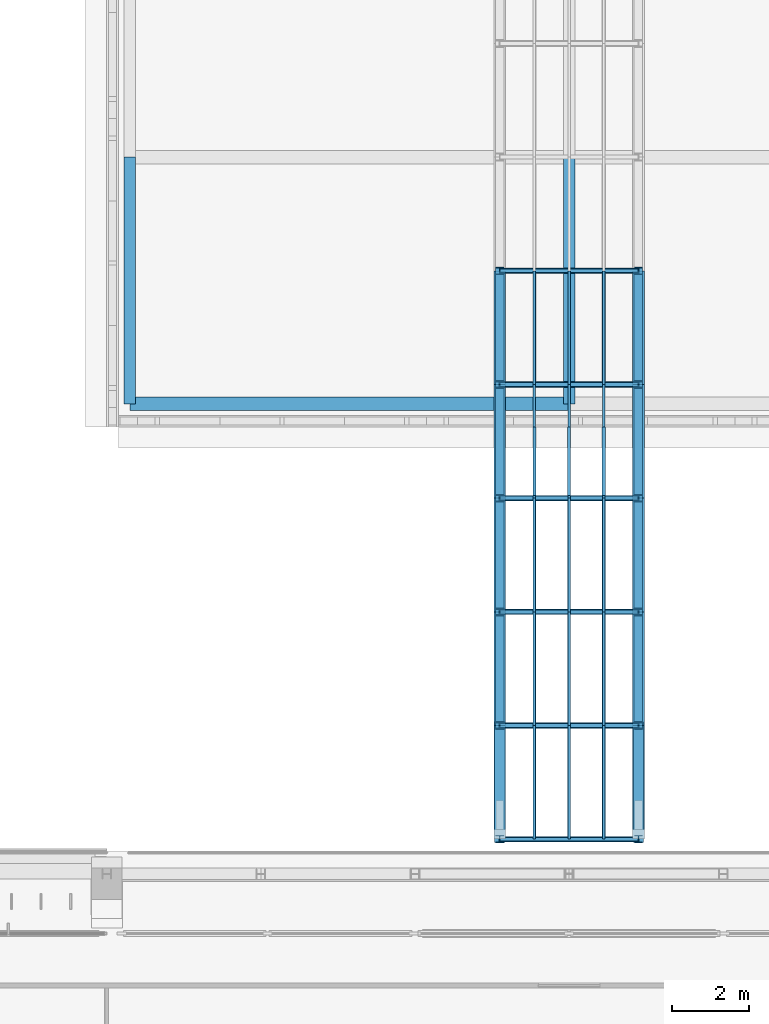
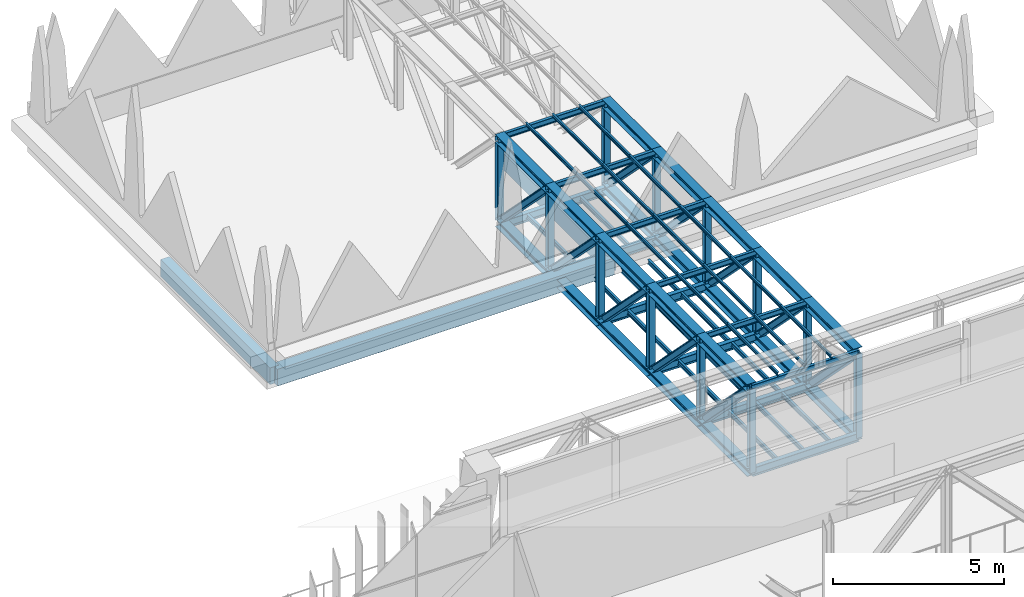
# One storey, part 64 of 141: 63 members, 23 beams.
"""IFC4 building model written with IfcOpenShell, lengths in metres."""

from ifc_helpers import new_model, si_unit, direction, frame, origin, origin_2d, place, context, subcontext, project, spatial, rectangle, i_section, extrude, material, material_profile, profile_set, type_object, element, save


model = new_model("IFC4")

# Units and contexts
model_context = context("Model", 3, precision=1e-05, world=origin(), true_north=direction((0.0, 1.0)))
body_context = subcontext(model_context, "Body", "Model", "MODEL_VIEW")
ifc_project = project(units=[si_unit("LENGTHUNIT", "METRE"), si_unit("AREAUNIT", "SQUARE_METRE"), si_unit("VOLUMEUNIT", "CUBIC_METRE"), si_unit("PLANEANGLEUNIT", "RADIAN"), si_unit("MASSUNIT", "GRAM", prefix="KILO")], contexts=[model_context])

# Site, building, storey
site_placement = place(None, origin())
site = spatial("IfcSite", under=ifc_project, at=site_placement, CompositionType="ELEMENT")
building_placement = place(site_placement, origin())
building = spatial("IfcBuilding", under=site, at=building_placement, Name="Lantern Court Media Centre", CompositionType="ELEMENT")
storey_placement = place(building_placement, frame((0.0, 0.0, 9.60009765625)))
storey = spatial("IfcBuildingStorey", under=building, at=storey_placement, Name="L02", CompositionType="ELEMENT", Elevation=9.60009765625)

# Members
ifc_material_1 = material(Name="Steel S355J2 (EN 10025-2)", Category="steel")
ifc_material_profile_1 = material_profile(ifc_material_1, i_section(OverallWidth=0.300048828125, OverallDepth=0.2900390625, WebThickness=0.008544921875, FlangeThickness=0.013916015625, FilletRadius=0.027099609375, at=origin_2d()), Name="HEA 300")
ifc_profile_set_1 = profile_set([ifc_material_profile_1], Name="Steel S355J2 (EN 10025-2)")
member_type_1 = type_object("IfcMemberType", Name="Court bridge chord HEA 300", PredefinedType="CHORD", material=ifc_profile_set_1)
for number, where, z_axis, x_axis, name in (
    (1, (50.199951171875, 62.300048828125, -0.25), (0.0, 1.0, 0.0), (-1.0, 0.0, 0.0), "Court bridge truss 1 bottom chord 1"),
    (2, (50.199951171875, 62.300048828125, 2.75), (0.0, 1.0, 0.0), (-1.0, 0.0, 0.0), "Court bridge truss 1 top chord 1"),
    (3, (50.199951171875, 65.25, -0.25), (0.0, 1.0, 0.0), (-1.0, 0.0, 0.0), "Court bridge truss 1 bottom chord 2"),
    (4, (50.199951171875, 65.25, 2.75), (0.0, 1.0, 0.0), (-1.0, 0.0, 0.0), "Court bridge truss 1 top chord 2"),
    (5, (50.199951171875, 68.199951171875, -0.25), (0.0, 1.0, 0.0), (-1.0, 0.0, 0.0), "Court bridge truss 1 bottom chord 3"),
    (6, (50.199951171875, 68.199951171875, 2.75), (0.0, 1.0, 0.0), (-1.0, 0.0, 0.0), "Court bridge truss 1 top chord 3"),
):
    element("IfcMember", number, at=place(storey_placement, frame(where, z_axis=z_axis, x_axis=x_axis)), inside=storey, type_object=member_type_1, Name=name, PredefinedType="CHORD", context=body_context, shape_type="SweptSolid", body=[
        extrude(i_section(OverallWidth=0.300048828125, OverallDepth=0.2900390625, WebThickness=0.008544921875, FlangeThickness=0.013916015625, FilletRadius=0.027099609375, at=origin_2d()), origin(), (0.0, 0.0, 1.0), 2.949951171875),
    ])
for number, where, z_axis, x_axis, name in (
    (7, (50.199951171875, 71.14990234375, -0.25), (0.0, 1.0, 0.0), (-1.0, 0.0, 0.0), "Court bridge truss 1 bottom chord 4"),
    (8, (50.199951171875, 71.14990234375, 2.75), (0.0, 1.0, 0.0), (-1.0, 0.0, 0.0), "Court bridge truss 1 top chord 4"),
):
    element("IfcMember", number, at=place(storey_placement, frame(where, z_axis=z_axis, x_axis=x_axis)), inside=storey, type_object=member_type_1, Name=name, PredefinedType="CHORD", context=body_context, shape_type="SweptSolid", body=[
        extrude(i_section(OverallWidth=0.300048828125, OverallDepth=0.2900390625, WebThickness=0.008544921875, FlangeThickness=0.013916015625, FilletRadius=0.027099609375, at=origin_2d()), origin(), (0.0, 0.0, 1.0), 2.9501953125),
    ])
for number, where, z_axis, x_axis, name in (
    (9, (50.199951171875, 74.10009765625, -0.25), (0.0, 1.0, 0.0), (-1.0, 0.0, 0.0), "Court bridge truss 1 bottom chord 5"),
    (10, (50.199951171875, 74.10009765625, 2.75), (0.0, 1.0, 0.0), (-1.0, 0.0, 0.0), "Court bridge truss 1 top chord 5"),
    (11, (53.800048828125, 62.300048828125, -0.25), (0.0, 1.0, 0.0), (-1.0, 0.0, 0.0), "Court bridge truss 2 bottom chord 1"),
    (12, (53.800048828125, 62.300048828125, 2.75), (0.0, 1.0, 0.0), (-1.0, 0.0, 0.0), "Court bridge truss 2 top chord 1"),
    (13, (53.800048828125, 65.25, -0.25), (0.0, 1.0, 0.0), (-1.0, 0.0, 0.0), "Court bridge truss 2 bottom chord 2"),
    (14, (53.800048828125, 65.25, 2.75), (0.0, 1.0, 0.0), (-1.0, 0.0, 0.0), "Court bridge truss 2 top chord 2"),
    (15, (53.800048828125, 68.199951171875, -0.25), (0.0, 1.0, 0.0), (-1.0, 0.0, 0.0), "Court bridge truss 2 bottom chord 3"),
    (16, (53.800048828125, 68.199951171875, 2.75), (0.0, 1.0, 0.0), (-1.0, 0.0, 0.0), "Court bridge truss 2 top chord 3"),
):
    element("IfcMember", number, at=place(storey_placement, frame(where, z_axis=z_axis, x_axis=x_axis)), inside=storey, type_object=member_type_1, Name=name, PredefinedType="CHORD", context=body_context, shape_type="SweptSolid", body=[
        extrude(i_section(OverallWidth=0.300048828125, OverallDepth=0.2900390625, WebThickness=0.008544921875, FlangeThickness=0.013916015625, FilletRadius=0.027099609375, at=origin_2d()), origin(), (0.0, 0.0, 1.0), 2.949951171875),
    ])
for number, where, z_axis, x_axis, name in (
    (17, (53.800048828125, 71.14990234375, -0.25), (0.0, 1.0, 0.0), (-1.0, 0.0, 0.0), "Court bridge truss 2 bottom chord 4"),
    (18, (53.800048828125, 71.14990234375, 2.75), (0.0, 1.0, 0.0), (-1.0, 0.0, 0.0), "Court bridge truss 2 top chord 4"),
):
    element("IfcMember", number, at=place(storey_placement, frame(where, z_axis=z_axis, x_axis=x_axis)), inside=storey, type_object=member_type_1, Name=name, PredefinedType="CHORD", context=body_context, shape_type="SweptSolid", body=[
        extrude(i_section(OverallWidth=0.300048828125, OverallDepth=0.2900390625, WebThickness=0.008544921875, FlangeThickness=0.013916015625, FilletRadius=0.027099609375, at=origin_2d()), origin(), (0.0, 0.0, 1.0), 2.9501953125),
    ])
for number, where, z_axis, x_axis, name in (
    (19, (53.800048828125, 74.10009765625, -0.25), (0.0, 1.0, 0.0), (-1.0, 0.0, 0.0), "Court bridge truss 2 bottom chord 5"),
    (20, (53.800048828125, 74.10009765625, 2.75), (0.0, 1.0, 0.0), (-1.0, 0.0, 0.0), "Court bridge truss 2 top chord 5"),
):
    element("IfcMember", number, at=place(storey_placement, frame(where, z_axis=z_axis, x_axis=x_axis)), inside=storey, type_object=member_type_1, Name=name, PredefinedType="CHORD", context=body_context, shape_type="SweptSolid", body=[
        extrude(i_section(OverallWidth=0.300048828125, OverallDepth=0.2900390625, WebThickness=0.008544921875, FlangeThickness=0.013916015625, FilletRadius=0.027099609375, at=origin_2d()), origin(), (0.0, 0.0, 1.0), 2.949951171875),
    ])
ifc_material_profile_2 = material_profile(ifc_material_1, i_section(OverallWidth=0.219970703125, OverallDepth=0.2099609375, WebThickness=0.007080078125, FlangeThickness=0.010986328125, FilletRadius=0.01806640625, at=origin_2d()), Name="HEA 220")
ifc_profile_set_2 = profile_set([ifc_material_profile_2], Name="Steel S355J2 (EN 10025-2)")
member_type_2 = type_object("IfcMemberType", Name="Court bridge diagonal HEA 220", PredefinedType="BRACE", material=ifc_profile_set_2)
for number, where, z_axis, x_axis, name in (
    (21, (50.199951171875, 65.25, 2.75), (0.0, 0.701134051624, -0.713029481615), (-1.0, 0.0, 0.0), "Court bridge truss 1 diagonal 2"),
    (22, (50.199951171875, 68.199951171875, 2.75), (0.0, 0.701134051624, -0.713029481615), (-1.0, 0.0, 0.0), "Court bridge truss 1 diagonal 3"),
    (23, (50.199951171875, 71.14990234375, 2.75), (0.0, 0.701163551131, -0.713000473047), (-1.0, 0.0, 0.0), "Court bridge truss 1 diagonal 4"),
    (24, (50.199951171875, 74.10009765625, 2.75), (0.0, 0.701134051624, -0.713029481615), (-1.0, 0.0, 0.0), "Court bridge truss 1 diagonal 5"),
    (25, (53.800048828125, 65.25, 2.75), (0.0, 0.701134051624, -0.713029481615), (-1.0, 0.0, 0.0), "Court bridge truss 2 diagonal 2"),
    (26, (53.800048828125, 68.199951171875, 2.75), (0.0, 0.701134051624, -0.713029481615), (-1.0, 0.0, 0.0), "Court bridge truss 2 diagonal 3"),
    (27, (53.800048828125, 71.14990234375, 2.75), (0.0, 0.701163551131, -0.713000473047), (-1.0, 0.0, 0.0), "Court bridge truss 2 diagonal 4"),
    (28, (53.800048828125, 74.10009765625, 2.75), (0.0, 0.701134051624, -0.713029481615), (-1.0, 0.0, 0.0), "Court bridge truss 2 diagonal 5"),
):
    element("IfcMember", number, at=place(storey_placement, frame(where, z_axis=z_axis, x_axis=x_axis)), inside=storey, type_object=member_type_2, Name=name, PredefinedType="BRACE", context=body_context, shape_type="SweptSolid", body=[
        extrude(i_section(OverallWidth=0.219970703125, OverallDepth=0.2099609375, WebThickness=0.007080078125, FlangeThickness=0.010986328125, FilletRadius=0.01806640625, at=origin_2d()), origin(), (0.0, 0.0, 1.0), 4.20751953125),
    ])
ifc_material_profile_3 = material_profile(ifc_material_1, i_section(OverallWidth=0.260009765625, OverallDepth=0.25, WebThickness=0.007568359375, FlangeThickness=0.012451171875, FilletRadius=0.02392578125, at=origin_2d()), Name="HEA 260")
ifc_profile_set_3 = profile_set([ifc_material_profile_3], Name="Steel S355J2 (EN 10025-2)")
member_type_3 = type_object("IfcMemberType", Name="Court bridge end diagonal HEA 260", PredefinedType="BRACE", material=ifc_profile_set_3)
for number, where, z_axis, x_axis, name in (
    (29, (50.199951171875, 62.300048828125, 2.75), (0.0, 0.701134051624, -0.713029481615), (-1.0, 0.0, 0.0), "Court bridge truss 1 diagonal 1"),
    (30, (53.800048828125, 62.300048828125, 2.75), (0.0, 0.701134051624, -0.713029481615), (-1.0, 0.0, 0.0), "Court bridge truss 2 diagonal 1"),
):
    element("IfcMember", number, at=place(storey_placement, frame(where, z_axis=z_axis, x_axis=x_axis)), inside=storey, type_object=member_type_3, Name=name, PredefinedType="BRACE", context=body_context, shape_type="SweptSolid", body=[
        extrude(i_section(OverallWidth=0.260009765625, OverallDepth=0.25, WebThickness=0.007568359375, FlangeThickness=0.012451171875, FilletRadius=0.02392578125, at=origin_2d()), origin(), (0.0, 0.0, 1.0), 4.20751953125),
    ])

# Beams
ifc_material_profile_4 = material_profile(ifc_material_1, i_section(OverallWidth=0.14990234375, OverallDepth=0.300048828125, WebThickness=0.007080078125, FlangeThickness=0.0107421875, FilletRadius=0.014892578125, at=origin_2d()), Name="IPE 300")
ifc_profile_set_4 = profile_set([ifc_material_profile_4], Name="Steel S355J2 (EN 10025-2)")
beam_type_1 = type_object("IfcBeamType", Name="Court bridge floor beam IPE 300", PredefinedType="BEAM", material=ifc_profile_set_4)
for number, where, z_axis, x_axis, name in (
    (31, (50.199951171875, 62.300048828125, -0.25), (1.0, 0.0, 0.0), (0.0, 1.0, 0.0), "Court bridge floor beam 1"),
    (32, (50.199951171875, 65.25, -0.25), (1.0, 0.0, 0.0), (0.0, 1.0, 0.0), "Court bridge floor beam 2"),
    (33, (50.199951171875, 68.199951171875, -0.25), (1.0, 0.0, 0.0), (0.0, 1.0, 0.0), "Court bridge floor beam 3"),
    (34, (50.199951171875, 71.14990234375, -0.25), (1.0, 0.0, 0.0), (0.0, 1.0, 0.0), "Court bridge floor beam 4"),
    (35, (50.199951171875, 74.10009765625, -0.400146484375), (1.0, 0.0, 0.0), (0.0, 1.0, 0.0), "Court bridge floor beam 5"),
    (36, (50.199951171875, 77.050048828125, -0.400146484375), (1.0, 0.0, 0.0), (0.0, 1.0, 0.0), "Court bridge floor beam 6"),
):
    element("IfcBeam", number, at=place(storey_placement, frame(where, z_axis=z_axis, x_axis=x_axis)), inside=storey, type_object=beam_type_1, Name=name, PredefinedType="BEAM", context=body_context, shape_type="SweptSolid", body=[
        extrude(i_section(OverallWidth=0.14990234375, OverallDepth=0.300048828125, WebThickness=0.007080078125, FlangeThickness=0.0107421875, FilletRadius=0.014892578125, at=origin_2d()), origin(), (0.0, 0.0, 1.0), 3.60009765625),
    ])
ifc_material_profile_5 = material_profile(ifc_material_1, i_section(OverallWidth=0.08203125, OverallDepth=0.159912109375, WebThickness=0.0048828125, FlangeThickness=0.00732421875, FilletRadius=0.009033203125, at=origin_2d()), Name="IPE 160")
ifc_profile_set_5 = profile_set([ifc_material_profile_5], Name="Steel S355J2 (EN 10025-2)")
beam_type_2 = type_object("IfcBeamType", Name="Court bridge joist IPE 160", PredefinedType="JOIST", material=ifc_profile_set_5)
for number, where, z_axis, x_axis, name in (
    (37, (51.10009765625, 62.375, -0.18017578125), (0.0, 1.0, 0.0), (-1.0, 0.0, 0.0), "Court bridge joist 1-1"),
    (38, (51.10009765625, 65.324951171875, -0.18017578125), (0.0, 1.0, 0.0), (-1.0, 0.0, 0.0), "Court bridge joist 1-2"),
    (39, (51.10009765625, 68.27490234375, -0.18017578125), (0.0, 1.0, 0.0), (-1.0, 0.0, 0.0), "Court bridge joist 1-3"),
):
    element("IfcBeam", number, at=place(storey_placement, frame(where, z_axis=z_axis, x_axis=x_axis)), inside=storey, type_object=beam_type_2, Name=name, PredefinedType="JOIST", context=body_context, shape_type="SweptSolid", body=[
        extrude(i_section(OverallWidth=0.08203125, OverallDepth=0.159912109375, WebThickness=0.0048828125, FlangeThickness=0.00732421875, FilletRadius=0.009033203125, at=origin_2d()), origin(), (0.0, 0.0, 1.0), 2.800048828125),
    ])
beam_1_placement = place(storey_placement, frame((51.10009765625, 71.22509765625, -0.18017578125), z_axis=(0.0, 1.0, 0.0), x_axis=(-1.0, 0.0, 0.0)))
element("IfcBeam", 40, at=beam_1_placement, inside=storey, type_object=beam_type_2, Name="Court bridge joist 1-4", PredefinedType="JOIST", context=body_context, shape_type="SweptSolid", body=[
    extrude(i_section(OverallWidth=0.08203125, OverallDepth=0.159912109375, WebThickness=0.0048828125, FlangeThickness=0.00732421875, FilletRadius=0.009033203125, at=origin_2d()), origin(), (0.0, 0.0, 1.0), 1.77490234375),
])
for number, where, z_axis, x_axis, name in (
    (41, (51.10009765625, 74.175048828125, -0.330078125), (0.0, 1.0, 0.0), (-1.0, 0.0, 0.0), "Court bridge joist 1-5"),
    (42, (52.0, 62.375, -0.18017578125), (0.0, 1.0, 0.0), (-1.0, 0.0, 0.0), "Court bridge joist 2-1"),
    (43, (52.0, 65.324951171875, -0.18017578125), (0.0, 1.0, 0.0), (-1.0, 0.0, 0.0), "Court bridge joist 2-2"),
    (44, (52.0, 68.27490234375, -0.18017578125), (0.0, 1.0, 0.0), (-1.0, 0.0, 0.0), "Court bridge joist 2-3"),
):
    element("IfcBeam", number, at=place(storey_placement, frame(where, z_axis=z_axis, x_axis=x_axis)), inside=storey, type_object=beam_type_2, Name=name, PredefinedType="JOIST", context=body_context, shape_type="SweptSolid", body=[
        extrude(i_section(OverallWidth=0.08203125, OverallDepth=0.159912109375, WebThickness=0.0048828125, FlangeThickness=0.00732421875, FilletRadius=0.009033203125, at=origin_2d()), origin(), (0.0, 0.0, 1.0), 2.800048828125),
    ])
beam_2_placement = place(storey_placement, frame((52.0, 71.22509765625, -0.18017578125), z_axis=(0.0, 1.0, 0.0), x_axis=(-1.0, 0.0, 0.0)))
element("IfcBeam", 45, at=beam_2_placement, inside=storey, type_object=beam_type_2, Name="Court bridge joist 2-4", PredefinedType="JOIST", context=body_context, shape_type="SweptSolid", body=[
    extrude(i_section(OverallWidth=0.08203125, OverallDepth=0.159912109375, WebThickness=0.0048828125, FlangeThickness=0.00732421875, FilletRadius=0.009033203125, at=origin_2d()), origin(), (0.0, 0.0, 1.0), 1.77490234375),
])
for number, where, z_axis, x_axis, name in (
    (46, (52.89990234375, 62.375, -0.18017578125), (0.0, 1.0, 0.0), (-1.0, 0.0, 0.0), "Court bridge joist 3-1"),
    (47, (52.89990234375, 65.324951171875, -0.18017578125), (0.0, 1.0, 0.0), (-1.0, 0.0, 0.0), "Court bridge joist 3-2"),
    (48, (52.89990234375, 68.27490234375, -0.18017578125), (0.0, 1.0, 0.0), (-1.0, 0.0, 0.0), "Court bridge joist 3-3"),
):
    element("IfcBeam", number, at=place(storey_placement, frame(where, z_axis=z_axis, x_axis=x_axis)), inside=storey, type_object=beam_type_2, Name=name, PredefinedType="JOIST", context=body_context, shape_type="SweptSolid", body=[
        extrude(i_section(OverallWidth=0.08203125, OverallDepth=0.159912109375, WebThickness=0.0048828125, FlangeThickness=0.00732421875, FilletRadius=0.009033203125, at=origin_2d()), origin(), (0.0, 0.0, 1.0), 2.800048828125),
    ])
beam_3_placement = place(storey_placement, frame((52.89990234375, 71.22509765625, -0.18017578125), z_axis=(0.0, 1.0, 0.0), x_axis=(-1.0, 0.0, 0.0)))
element("IfcBeam", 49, at=beam_3_placement, inside=storey, type_object=beam_type_2, Name="Court bridge joist 3-4", PredefinedType="JOIST", context=body_context, shape_type="SweptSolid", body=[
    extrude(i_section(OverallWidth=0.08203125, OverallDepth=0.159912109375, WebThickness=0.0048828125, FlangeThickness=0.00732421875, FilletRadius=0.009033203125, at=origin_2d()), origin(), (0.0, 0.0, 1.0), 1.77490234375),
])
beam_4_placement = place(storey_placement, frame((52.89990234375, 74.175048828125, -0.330078125), z_axis=(0.0, 1.0, 0.0), x_axis=(-1.0, 0.0, 0.0)))
element("IfcBeam", 50, at=beam_4_placement, inside=storey, type_object=beam_type_2, Name="Court bridge joist 3-5", PredefinedType="JOIST", context=body_context, shape_type="SweptSolid", body=[
    extrude(i_section(OverallWidth=0.08203125, OverallDepth=0.159912109375, WebThickness=0.0048828125, FlangeThickness=0.00732421875, FilletRadius=0.009033203125, at=origin_2d()), origin(), (0.0, 0.0, 1.0), 2.800048828125),
])

# Members
ifc_material_profile_6 = material_profile(ifc_material_1, i_section(OverallWidth=0.06396484375, OverallDepth=0.1201171875, WebThickness=0.00439453125, FlangeThickness=0.00634765625, FilletRadius=0.007080078125, at=origin_2d()), Name="IPE 120")
ifc_profile_set_6 = profile_set([ifc_material_profile_6], Name="Steel S355J2 (EN 10025-2)")
member_type_4 = type_object("IfcMemberType", Name="Court bridge purlin IPE 120", PredefinedType="PURLIN", material=ifc_profile_set_6)
for number, where, z_axis, x_axis, name in (
    (51, (51.10009765625, 62.300048828125, 2.909912109375), (0.0, 1.0, 0.0), (-1.0, 0.0, 0.0), "Court bridge purlin 1-1"),
    (52, (51.10009765625, 65.25, 2.909912109375), (0.0, 1.0, 0.0), (-1.0, 0.0, 0.0), "Court bridge purlin 1-2"),
    (53, (51.10009765625, 68.199951171875, 2.909912109375), (0.0, 1.0, 0.0), (-1.0, 0.0, 0.0), "Court bridge purlin 1-3"),
):
    element("IfcMember", number, at=place(storey_placement, frame(where, z_axis=z_axis, x_axis=x_axis)), inside=storey, type_object=member_type_4, Name=name, PredefinedType="PURLIN", context=body_context, shape_type="SweptSolid", body=[
        extrude(i_section(OverallWidth=0.06396484375, OverallDepth=0.1201171875, WebThickness=0.00439453125, FlangeThickness=0.00634765625, FilletRadius=0.007080078125, at=origin_2d()), origin(), (0.0, 0.0, 1.0), 2.949951171875),
    ])
member_1_placement = place(storey_placement, frame((51.10009765625, 71.14990234375, 2.909912109375), z_axis=(0.0, 1.0, 0.0), x_axis=(-1.0, 0.0, 0.0)))
element("IfcMember", 54, at=member_1_placement, inside=storey, type_object=member_type_4, Name="Court bridge purlin 1-4", PredefinedType="PURLIN", context=body_context, shape_type="SweptSolid", body=[
    extrude(i_section(OverallWidth=0.06396484375, OverallDepth=0.1201171875, WebThickness=0.00439453125, FlangeThickness=0.00634765625, FilletRadius=0.007080078125, at=origin_2d()), origin(), (0.0, 0.0, 1.0), 2.9501953125),
])
for number, where, z_axis, x_axis, name in (
    (55, (51.10009765625, 74.10009765625, 2.909912109375), (0.0, 1.0, 0.0), (-1.0, 0.0, 0.0), "Court bridge purlin 1-5"),
    (56, (52.0, 62.300048828125, 2.909912109375), (0.0, 1.0, 0.0), (-1.0, 0.0, 0.0), "Court bridge purlin 2-1"),
    (57, (52.0, 65.25, 2.909912109375), (0.0, 1.0, 0.0), (-1.0, 0.0, 0.0), "Court bridge purlin 2-2"),
    (58, (52.0, 68.199951171875, 2.909912109375), (0.0, 1.0, 0.0), (-1.0, 0.0, 0.0), "Court bridge purlin 2-3"),
):
    element("IfcMember", number, at=place(storey_placement, frame(where, z_axis=z_axis, x_axis=x_axis)), inside=storey, type_object=member_type_4, Name=name, PredefinedType="PURLIN", context=body_context, shape_type="SweptSolid", body=[
        extrude(i_section(OverallWidth=0.06396484375, OverallDepth=0.1201171875, WebThickness=0.00439453125, FlangeThickness=0.00634765625, FilletRadius=0.007080078125, at=origin_2d()), origin(), (0.0, 0.0, 1.0), 2.949951171875),
    ])
member_2_placement = place(storey_placement, frame((52.0, 71.14990234375, 2.909912109375), z_axis=(0.0, 1.0, 0.0), x_axis=(-1.0, 0.0, 0.0)))
element("IfcMember", 59, at=member_2_placement, inside=storey, type_object=member_type_4, Name="Court bridge purlin 2-4", PredefinedType="PURLIN", context=body_context, shape_type="SweptSolid", body=[
    extrude(i_section(OverallWidth=0.06396484375, OverallDepth=0.1201171875, WebThickness=0.00439453125, FlangeThickness=0.00634765625, FilletRadius=0.007080078125, at=origin_2d()), origin(), (0.0, 0.0, 1.0), 2.9501953125),
])
for number, where, z_axis, x_axis, name in (
    (60, (52.0, 74.10009765625, 2.909912109375), (0.0, 1.0, 0.0), (-1.0, 0.0, 0.0), "Court bridge purlin 2-5"),
    (61, (52.89990234375, 62.300048828125, 2.909912109375), (0.0, 1.0, 0.0), (-1.0, 0.0, 0.0), "Court bridge purlin 3-1"),
    (62, (52.89990234375, 65.25, 2.909912109375), (0.0, 1.0, 0.0), (-1.0, 0.0, 0.0), "Court bridge purlin 3-2"),
    (63, (52.89990234375, 68.199951171875, 2.909912109375), (0.0, 1.0, 0.0), (-1.0, 0.0, 0.0), "Court bridge purlin 3-3"),
):
    element("IfcMember", number, at=place(storey_placement, frame(where, z_axis=z_axis, x_axis=x_axis)), inside=storey, type_object=member_type_4, Name=name, PredefinedType="PURLIN", context=body_context, shape_type="SweptSolid", body=[
        extrude(i_section(OverallWidth=0.06396484375, OverallDepth=0.1201171875, WebThickness=0.00439453125, FlangeThickness=0.00634765625, FilletRadius=0.007080078125, at=origin_2d()), origin(), (0.0, 0.0, 1.0), 2.949951171875),
    ])
member_3_placement = place(storey_placement, frame((52.89990234375, 71.14990234375, 2.909912109375), z_axis=(0.0, 1.0, 0.0), x_axis=(-1.0, 0.0, 0.0)))
element("IfcMember", 64, at=member_3_placement, inside=storey, type_object=member_type_4, Name="Court bridge purlin 3-4", PredefinedType="PURLIN", context=body_context, shape_type="SweptSolid", body=[
    extrude(i_section(OverallWidth=0.06396484375, OverallDepth=0.1201171875, WebThickness=0.00439453125, FlangeThickness=0.00634765625, FilletRadius=0.007080078125, at=origin_2d()), origin(), (0.0, 0.0, 1.0), 2.9501953125),
])
member_4_placement = place(storey_placement, frame((52.89990234375, 74.10009765625, 2.909912109375), z_axis=(0.0, 1.0, 0.0), x_axis=(-1.0, 0.0, 0.0)))
element("IfcMember", 65, at=member_4_placement, inside=storey, type_object=member_type_4, Name="Court bridge purlin 3-5", PredefinedType="PURLIN", context=body_context, shape_type="SweptSolid", body=[
    extrude(i_section(OverallWidth=0.06396484375, OverallDepth=0.1201171875, WebThickness=0.00439453125, FlangeThickness=0.00634765625, FilletRadius=0.007080078125, at=origin_2d()), origin(), (0.0, 0.0, 1.0), 2.949951171875),
])
ifc_material_profile_7 = material_profile(ifc_material_1, i_section(OverallWidth=0.10009765625, OverallDepth=0.199951171875, WebThickness=0.005615234375, FlangeThickness=0.008544921875, FilletRadius=0.011962890625, at=origin_2d()), Name="IPE 200")
ifc_profile_set_7 = profile_set([ifc_material_profile_7], Name="Steel S355J2 (EN 10025-2)")
member_type_5 = type_object("IfcMemberType", Name="Court bridge roof strut IPE 200", PredefinedType="STRUT", material=ifc_profile_set_7)
for number, where, z_axis, x_axis, name in (
    (66, (50.199951171875, 62.300048828125, 2.75), (1.0, 0.0, 0.0), (0.0, 1.0, 0.0), "Court bridge roof strut 1"),
    (67, (50.199951171875, 65.25, 2.75), (1.0, 0.0, 0.0), (0.0, 1.0, 0.0), "Court bridge roof strut 2"),
    (68, (50.199951171875, 68.199951171875, 2.75), (1.0, 0.0, 0.0), (0.0, 1.0, 0.0), "Court bridge roof strut 3"),
    (69, (50.199951171875, 71.14990234375, 2.75), (1.0, 0.0, 0.0), (0.0, 1.0, 0.0), "Court bridge roof strut 4"),
    (70, (50.199951171875, 74.10009765625, 2.75), (1.0, 0.0, 0.0), (0.0, 1.0, 0.0), "Court bridge roof strut 5"),
    (71, (50.199951171875, 77.050048828125, 2.75), (1.0, 0.0, 0.0), (0.0, 1.0, 0.0), "Court bridge roof strut 6"),
):
    element("IfcMember", number, at=place(storey_placement, frame(where, z_axis=z_axis, x_axis=x_axis)), inside=storey, type_object=member_type_5, Name=name, PredefinedType="STRUT", context=body_context, shape_type="SweptSolid", body=[
        extrude(i_section(OverallWidth=0.10009765625, OverallDepth=0.199951171875, WebThickness=0.005615234375, FlangeThickness=0.008544921875, FilletRadius=0.011962890625, at=origin_2d()), origin(), (0.0, 0.0, 1.0), 3.60009765625),
    ])
ifc_material_profile_8 = material_profile(ifc_material_1, i_section(OverallWidth=0.199951171875, OverallDepth=0.18994140625, WebThickness=0.006591796875, FlangeThickness=0.010009765625, FilletRadius=0.01806640625, at=origin_2d()), Name="HEA 200")
ifc_profile_set_8 = profile_set([ifc_material_profile_8], Name="Steel S355J2 (EN 10025-2)")
member_type_6 = type_object("IfcMemberType", Name="Court bridge vertical HEA 200", PredefinedType="POST", material=ifc_profile_set_8)
for number, where, z_axis, x_axis, name in (
    (72, (50.199951171875, 62.300048828125, -0.25), (0.0, 0.0, 1.0), (1.0, 0.0, 0.0), "Court bridge truss 1 vertical 1"),
    (73, (50.199951171875, 65.25, -0.25), (0.0, 0.0, 1.0), (1.0, 0.0, 0.0), "Court bridge truss 1 vertical 2"),
    (74, (50.199951171875, 68.199951171875, -0.25), (0.0, 0.0, 1.0), (1.0, 0.0, 0.0), "Court bridge truss 1 vertical 3"),
    (75, (50.199951171875, 71.14990234375, -0.25), (0.0, 0.0, 1.0), (1.0, 0.0, 0.0), "Court bridge truss 1 vertical 4"),
    (76, (50.199951171875, 74.10009765625, -0.25), (0.0, 0.0, 1.0), (1.0, 0.0, 0.0), "Court bridge truss 1 vertical 5"),
    (77, (50.199951171875, 77.050048828125, -0.25), (0.0, 0.0, 1.0), (1.0, 0.0, 0.0), "Court bridge truss 1 vertical 6"),
    (78, (53.800048828125, 62.300048828125, -0.25), (0.0, 0.0, 1.0), (1.0, 0.0, 0.0), "Court bridge truss 2 vertical 1"),
    (79, (53.800048828125, 65.25, -0.25), (0.0, 0.0, 1.0), (1.0, 0.0, 0.0), "Court bridge truss 2 vertical 2"),
    (80, (53.800048828125, 68.199951171875, -0.25), (0.0, 0.0, 1.0), (1.0, 0.0, 0.0), "Court bridge truss 2 vertical 3"),
    (81, (53.800048828125, 71.14990234375, -0.25), (0.0, 0.0, 1.0), (1.0, 0.0, 0.0), "Court bridge truss 2 vertical 4"),
    (82, (53.800048828125, 74.10009765625, -0.25), (0.0, 0.0, 1.0), (1.0, 0.0, 0.0), "Court bridge truss 2 vertical 5"),
    (83, (53.800048828125, 77.050048828125, -0.25), (0.0, 0.0, 1.0), (1.0, 0.0, 0.0), "Court bridge truss 2 vertical 6"),
):
    element("IfcMember", number, at=place(storey_placement, frame(where, z_axis=z_axis, x_axis=x_axis)), inside=storey, type_object=member_type_6, Name=name, PredefinedType="POST", context=body_context, shape_type="SweptSolid", body=[
        extrude(i_section(OverallWidth=0.199951171875, OverallDepth=0.18994140625, WebThickness=0.006591796875, FlangeThickness=0.010009765625, FilletRadius=0.01806640625, at=origin_2d()), origin(), (0.0, 0.0, 1.0), 3.0),
    ])

# Beams
ifc_material_2 = material(Name="Concrete C35", Category="concrete")
ifc_material_profile_9 = material_profile(ifc_material_2, rectangle(XDim=0.300048828125, YDim=0.60009765625, at=origin_2d()), Name="RC 300x600")
ifc_profile_set_9 = profile_set([ifc_material_profile_9], Name="Concrete C35")
beam_type_3 = type_object("IfcBeamType", Name="RC BEAM 300x600", PredefinedType="BEAM", material=ifc_profile_set_9)
for number, where, z_axis, x_axis, name in (
    (84, (40.60009765625, 73.60009765625, -0.300048828125), (0.0, 1.0, 0.0), (-1.0, 0.0, 0.0), "PB-PRESS-L02-Y0-0"),
    (85, (52.0, 73.60009765625, -0.300048828125), (0.0, 1.0, 0.0), (-1.0, 0.0, 0.0), "PB-PRESS-L02-Y1-0"),
):
    element("IfcBeam", number, at=place(storey_placement, frame(where, z_axis=z_axis, x_axis=x_axis)), inside=storey, type_object=beam_type_3, Name=name, PredefinedType="BEAM", context=body_context, shape_type="SweptSolid", body=[
        extrude(rectangle(XDim=0.300048828125, YDim=0.60009765625, at=origin_2d()), origin(), (0.0, 0.0, 1.0), 6.39990234375),
    ])
ifc_material_profile_10 = material_profile(ifc_material_2, rectangle(XDim=0.35009765625, YDim=0.60009765625, at=origin_2d()), Name="RC 350x600")
ifc_profile_set_10 = profile_set([ifc_material_profile_10], Name="Concrete C35")
beam_type_4 = type_object("IfcBeamType", Name="RC BEAM 350x600", PredefinedType="BEAM", material=ifc_profile_set_10)
beam_5_placement = place(storey_placement, frame((40.60009765625, 73.60009765625, -0.300048828125), z_axis=(1.0, 0.0, 0.0), x_axis=(0.0, 1.0, 0.0)))
element("IfcBeam", 86, at=beam_5_placement, inside=storey, type_object=beam_type_4, Name="PB-PRESS-L02-X0-0", PredefinedType="BEAM", context=body_context, shape_type="SweptSolid", body=[
    extrude(rectangle(XDim=0.35009765625, YDim=0.60009765625, at=origin_2d()), origin(), (0.0, 0.0, 1.0), 11.39990234375),
])

save(model, "model.ifc")
